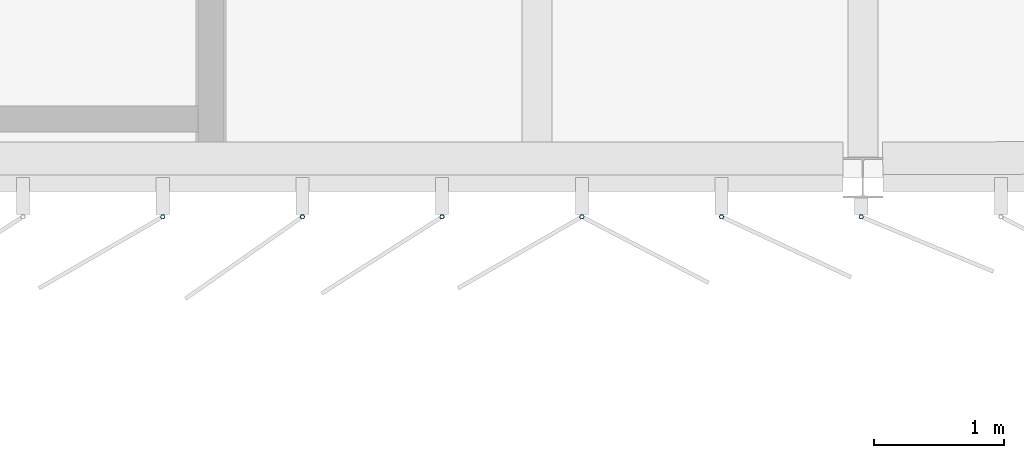
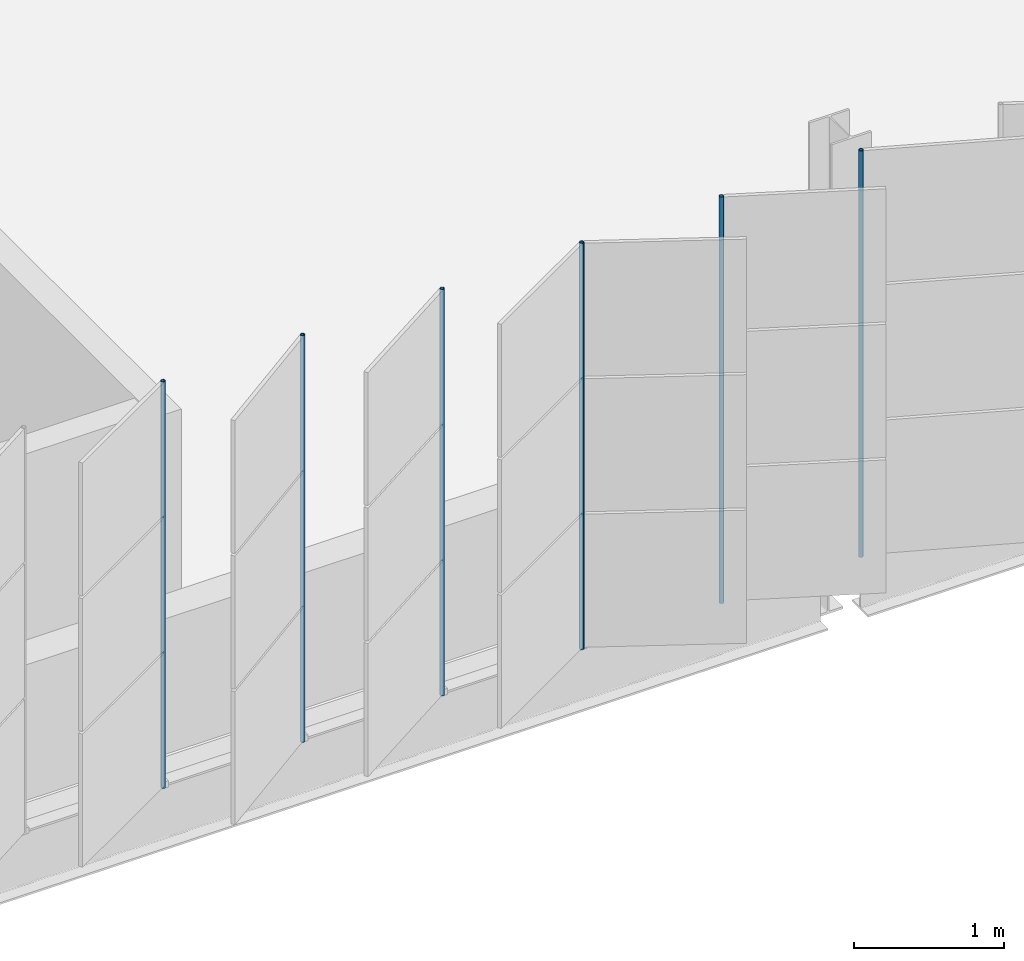
# One storey, part 89 of 214: 6 discrete accessories.
"""IFC4 building model written with IfcOpenShell, lengths in metres."""

from ifc_helpers import new_model, si_unit, direction, frame, origin, origin_2d, place, context, subcontext, project, spatial, hollow_circle, extrude, material, material_profile, profile_set, type_object, element, save


model = new_model("IFC4")

# Units and contexts
model_context = context("Model", 3, precision=1e-05, world=origin(), true_north=direction((0.0, 1.0)))
body_context = subcontext(model_context, "Body", "Model", "MODEL_VIEW")
ifc_project = project(units=[si_unit("LENGTHUNIT", "METRE"), si_unit("AREAUNIT", "SQUARE_METRE"), si_unit("VOLUMEUNIT", "CUBIC_METRE"), si_unit("PLANEANGLEUNIT", "RADIAN"), si_unit("MASSUNIT", "GRAM", prefix="KILO")], contexts=[model_context])

# Site, building, storey
site_placement = place(None, origin())
site = spatial("IfcSite", under=ifc_project, at=site_placement, CompositionType="ELEMENT")
building_placement = place(site_placement, origin())
building = spatial("IfcBuilding", under=site, at=building_placement, Name="Parallax Yard Mobility Hub", CompositionType="ELEMENT")
storey_placement = place(building_placement, frame((0.0, 0.0, 3.300048828125)))
storey = spatial("IfcBuildingStorey", under=building, at=storey_placement, Name="L01", CompositionType="ELEMENT", Elevation=3.300048828125)

# Discrete accessories
ifc_material = material(Name="Steel ASTM A500 Gr C, hot-dip galvanised", Category="steel")
ifc_material_profile = material_profile(ifc_material, hollow_circle(Radius=0.016845703125, WallThickness=0.003173828125, at=origin_2d()), Name="CHS 33.7x3.2")
ifc_profile_set = profile_set([ifc_material_profile], Name="Steel ASTM A500 Gr C, hot-dip galvanised")
discrete_accessory_type = type_object("IfcDiscreteAccessoryType", Name="Hinge post CHS 33.7x3.2", PredefinedType="BRACKET", material=ifc_profile_set)
for number, where, z_axis, x_axis, name in (
    (1, (47.12939453125, 112.199951171875, 0.0), (0.0, 0.0, 1.0), (1.0, 0.0, 0.0), "Hinge post bay 3.3 level L01"),
    (2, (48.20068359375, 112.199951171875, 0.0), (0.0, 0.0, 1.0), (1.0, 0.0, 0.0), "Hinge post bay 3.4 level L01"),
    (3, (49.272216796875, 112.199951171875, 0.0), (0.0, 0.0, 1.0), (1.0, 0.0, 0.0), "Hinge post bay 3.5 level L01"),
    (4, (50.34375, 112.199951171875, 0.0), (0.0, 0.0, 1.0), (1.0, 0.0, 0.0), "Hinge post bay 3.6 level L01"),
    (5, (51.415283203125, 112.199951171875, 0.0), (0.0, 0.0, 1.0), (1.0, 0.0, 0.0), "Hinge post bay 3.7 level L01"),
    (6, (52.48681640625, 112.199951171875, 0.0), (0.0, 0.0, 1.0), (1.0, 0.0, 0.0), "Hinge post bay 4.1 level L01"),
):
    element("IfcDiscreteAccessory", number, at=place(storey_placement, frame(where, z_axis=z_axis, x_axis=x_axis)), inside=storey, type_object=discrete_accessory_type, Name=name, PredefinedType="BRACKET", context=body_context, shape_type="SweptSolid", body=[
        extrude(hollow_circle(Radius=0.016845703125, WallThickness=0.003173828125, at=origin_2d()), origin(), (0.0, 0.0, 1.0), 3.300048828125),
    ])

save(model, "model.ifc")
